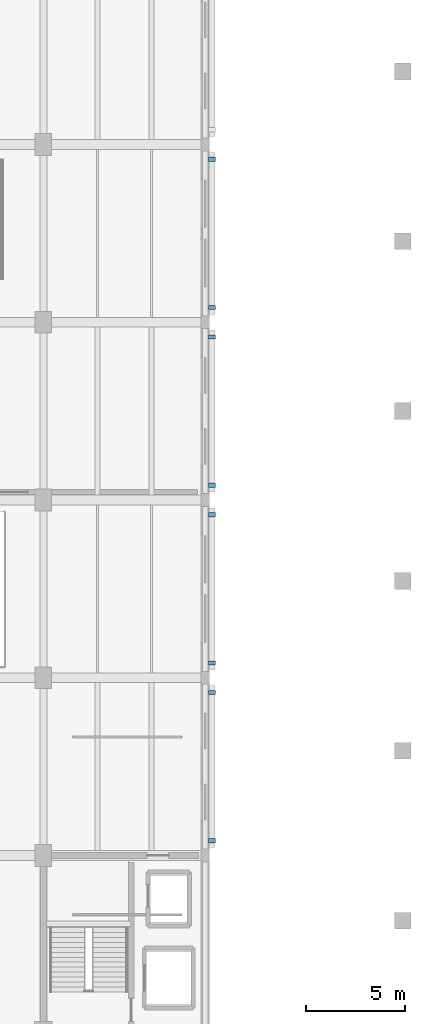
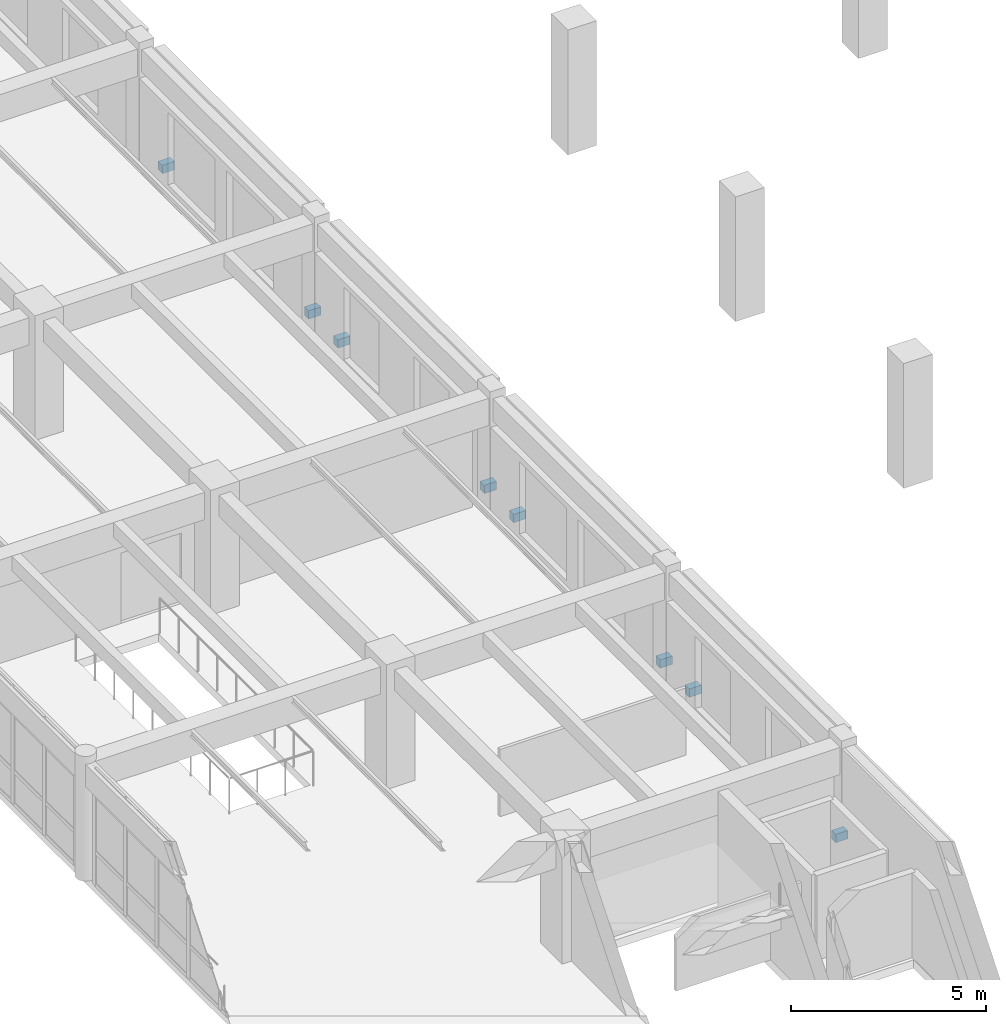
# One storey, part 139 of 156: 8 discrete accessories.
"""IFC4 building model written with IfcOpenShell, lengths in metres."""

from ifc_helpers import new_model, si_unit, direction, frame, origin, origin_2d, place, context, subcontext, project, spatial, rectangle, extrude, material, type_object, element, save


model = new_model("IFC4")

# Units and contexts
model_context = context("Model", 3, precision=1e-05, world=origin(), true_north=direction((0.0, 1.0)))
body_context = subcontext(model_context, "Body", "Model", "MODEL_VIEW")
ifc_project = project(units=[si_unit("LENGTHUNIT", "METRE"), si_unit("AREAUNIT", "SQUARE_METRE"), si_unit("VOLUMEUNIT", "CUBIC_METRE"), si_unit("PLANEANGLEUNIT", "RADIAN"), si_unit("MASSUNIT", "GRAM", prefix="KILO")], contexts=[model_context])

# Site, building, storey
site_placement = place(None, origin())
site = spatial("IfcSite", under=ifc_project, at=site_placement, CompositionType="ELEMENT")
building_placement = place(site_placement, origin())
building = spatial("IfcBuilding", under=site, at=building_placement, Name="Ornek Quay Market", CompositionType="ELEMENT")
storey_placement = place(building_placement, frame((0.0, 0.0, 4.5)))
storey = spatial("IfcBuildingStorey", under=building, at=storey_placement, Name="L01", CompositionType="ELEMENT", Elevation=4.5)

# Discrete accessories
ifc_material = material(Name="Stainless steel 316", Category="steel")
discrete_accessory_type = type_object("IfcDiscreteAccessoryType", Name="ACC-BRK-SCREEN-250", PredefinedType="BRACKET", material=ifc_material)
for number, where, z_axis, x_axis, name in (
    (1, (125.5400390625, 38.75, 0.0), (0.0, 0.0, 1.0), (0.0, 1.0, 0.0), "Masonry screen bracket BRK-097"),
    (2, (125.5400390625, 46.25, 0.0), (0.0, 0.0, 1.0), (0.0, 1.0, 0.0), "Masonry screen bracket BRK-098"),
    (3, (125.5400390625, 47.75, 0.0), (0.0, 0.0, 1.0), (0.0, 1.0, 0.0), "Masonry screen bracket BRK-099"),
    (4, (125.5400390625, 55.25, 0.0), (0.0, 0.0, 1.0), (0.0, 1.0, 0.0), "Masonry screen bracket BRK-100"),
    (5, (125.5400390625, 56.75, 0.0), (0.0, 0.0, 1.0), (0.0, 1.0, 0.0), "Masonry screen bracket BRK-101"),
    (6, (125.5400390625, 64.25, 0.0), (0.0, 0.0, 1.0), (0.0, 1.0, 0.0), "Masonry screen bracket BRK-102"),
    (7, (125.5400390625, 65.75, 0.0), (0.0, 0.0, 1.0), (0.0, 1.0, 0.0), "Masonry screen bracket BRK-103"),
    (8, (125.5400390625, 73.25, 0.0), (0.0, 0.0, 1.0), (0.0, 1.0, 0.0), "Masonry screen bracket BRK-104"),
):
    element("IfcDiscreteAccessory", number, at=place(storey_placement, frame(where, z_axis=z_axis, x_axis=x_axis)), inside=storey, type_object=discrete_accessory_type, Name=name, PredefinedType="BRACKET", context=body_context, shape_type="SweptSolid", body=[
        extrude(rectangle(XDim=0.219970703125, YDim=0.360107421875, at=origin_2d()), origin(), (0.0, 0.0, 1.0), 0.260009765625),
    ])

save(model, "model.ifc")
